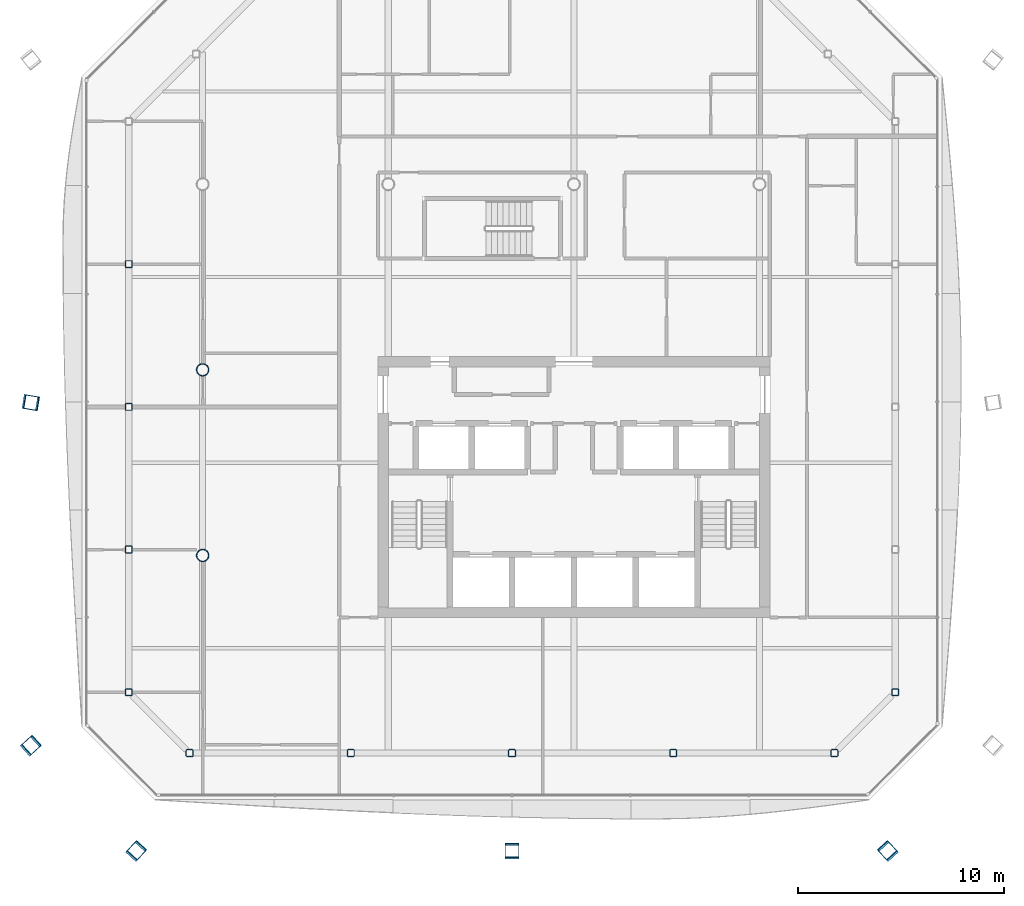
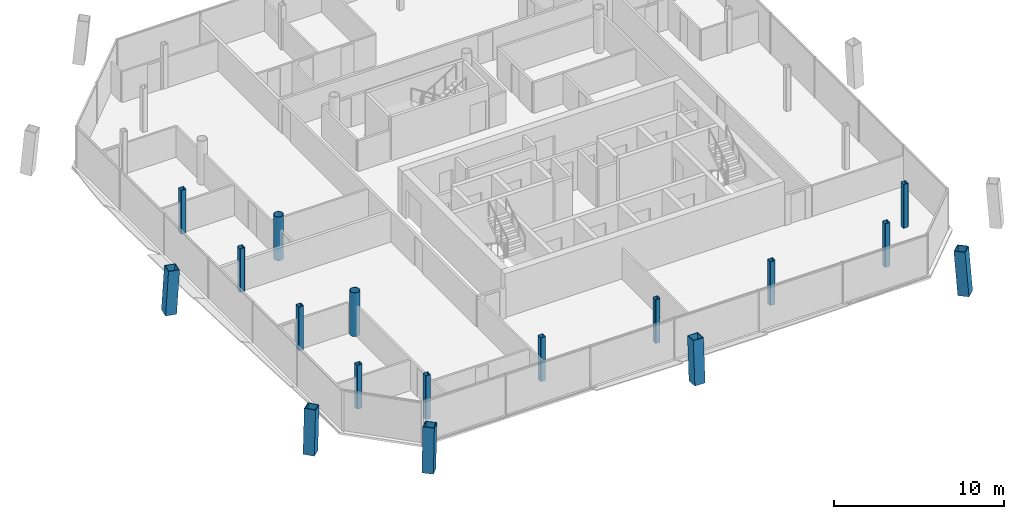
# One storey, part 1 of 20: 17 columns.
"""IFC4 building model written with IfcOpenShell, lengths in metres."""

from ifc_helpers import new_model, si_unit, direction, frame, origin, origin_2d, place, context, subcontext, project, spatial, hollow_rectangle, hollow_circle, extrude, material, material_profile, profile_set, type_object, element, save


model = new_model("IFC4")

# Units and contexts
model_context = context("Model", 3, precision=1e-05, world=origin(), true_north=direction((0.0, 1.0)))
body_context = subcontext(model_context, "Body", "Model", "MODEL_VIEW")
ifc_project = project(units=[si_unit("LENGTHUNIT", "METRE"), si_unit("AREAUNIT", "SQUARE_METRE"), si_unit("VOLUMEUNIT", "CUBIC_METRE"), si_unit("PLANEANGLEUNIT", "RADIAN"), si_unit("MASSUNIT", "GRAM", prefix="KILO")], contexts=[model_context])

# Site, building, storey
site_placement = place(None, origin())
site = spatial("IfcSite", under=ifc_project, at=site_placement, CompositionType="ELEMENT")
building_placement = place(site_placement, origin())
building = spatial("IfcBuilding", under=site, at=building_placement, Name="Tskaro Facet Tower", CompositionType="ELEMENT")
storey_placement = place(building_placement, frame((0.0, 0.0, 187.949951171875)))
storey = spatial("IfcBuildingStorey", under=building, at=storey_placement, Name="L47", CompositionType="ELEMENT", Elevation=187.949951171875)

# Columns
ifc_material_1 = material(Name="Steel S460M", Category="steel")
ifc_material_profile_1 = material_profile(ifc_material_1, hollow_rectangle(XDim=0.699951171875, YDim=0.699951171875, WallThickness=0.044921875, at=origin_2d()), Name="BOX 700x700x45")
ifc_profile_set_1 = profile_set([ifc_material_profile_1], Name="Steel S460M")
column_type_1 = type_object("IfcColumnType", Name="BOX 700x700x45 mega column", PredefinedType="COLUMN", material=ifc_profile_set_1)
column_1_placement = place(storey_placement, frame((-21.2509765625, -23.363037109375, 0.0), z_axis=(0.052540391847, 0.057639900467, 0.996953935294), x_axis=(-0.739042878551, 0.673658387955, 0.0)))
element("IfcColumn", 1, at=column_1_placement, inside=storey, type_object=column_type_1, Name="BOX 700x700x45 MC01/4", PredefinedType="COLUMN", context=body_context, shape_type="SweptSolid", body=[
    extrude(hollow_rectangle(XDim=0.699951171875, YDim=0.699951171875, WallThickness=0.044921875, at=origin_2d()), origin(), (0.0, 0.0, 1.0), 3.15966796875),
])
column_2_placement = place(storey_placement, frame((-3.0, -23.363037109375, 0.0), z_axis=(0.0, 0.057719622824, 0.998332832847), x_axis=(-1.0, 0.0, 0.0)))
element("IfcColumn", 2, at=column_2_placement, inside=storey, type_object=column_type_1, Name="BOX 700x700x45 MC02/4", PredefinedType="COLUMN", context=body_context, shape_type="SweptSolid", body=[
    extrude(hollow_rectangle(XDim=0.699951171875, YDim=0.699951171875, WallThickness=0.044921875, at=origin_2d()), origin(), (0.0, 0.0, 1.0), 3.155517578125),
])
column_3_placement = place(storey_placement, frame((15.2509765625, -23.363037109375, 0.0), z_axis=(-0.052540391847, 0.057639900467, 0.996953935294), x_axis=(-0.739042878551, -0.673658387955, 0.0)))
element("IfcColumn", 3, at=column_3_placement, inside=storey, type_object=column_type_1, Name="BOX 700x700x45 MC03/4", PredefinedType="COLUMN", context=body_context, shape_type="SweptSolid", body=[
    extrude(hollow_rectangle(XDim=0.699951171875, YDim=0.699951171875, WallThickness=0.044921875, at=origin_2d()), origin(), (0.0, 0.0, 1.0), 3.15966796875),
])
column_4_placement = place(storey_placement, frame((-26.363037109375, -1.583984375, 0.0), z_axis=(0.057717009198, -0.00951634334, 0.998287626919), x_axis=(0.162682900473, 0.986678404493, 0.0)))
element("IfcColumn", 4, at=column_4_placement, inside=storey, type_object=column_type_1, Name="BOX 700x700x45 MC11/4", PredefinedType="COLUMN", context=body_context, shape_type="SweptSolid", body=[
    extrude(hollow_rectangle(XDim=0.699951171875, YDim=0.699951171875, WallThickness=0.044921875, at=origin_2d()), origin(), (0.0, 0.0, 1.0), 3.155517578125),
])
column_5_placement = place(storey_placement, frame((-26.363037109375, -18.2509765625, 0.0), z_axis=(0.057639900467, 0.052540391847, 0.996953935294), x_axis=(-0.673658387955, 0.739042878551, 0.0)))
element("IfcColumn", 5, at=column_5_placement, inside=storey, type_object=column_type_1, Name="BOX 700x700x45 MC12/4", PredefinedType="COLUMN", context=body_context, shape_type="SweptSolid", body=[
    extrude(hollow_rectangle(XDim=0.699951171875, YDim=0.699951171875, WallThickness=0.044921875, at=origin_2d()), origin(), (0.0, 0.0, 1.0), 3.15966796875),
])
ifc_material_2 = material(Name="Steel S355J2H", Category="steel")
ifc_material_profile_2 = material_profile(ifc_material_2, hollow_circle(Radius=0.304931640625, WallThickness=0.030029296875, at=origin_2d()), Name="CHS 610x30")
ifc_profile_set_2 = profile_set([ifc_material_profile_2], Name="Steel S355J2H")
column_type_2 = type_object("IfcColumnType", Name="CHS 610x30 interior column", PredefinedType="COLUMN", material=ifc_profile_set_2)
for number, where, z_axis, x_axis, name in (
    (6, (-18.0, -9.0, 0.0), (0.0, 0.0, 1.0), (1.0, 0.0, 0.0), "CHS 610x30 C2C/4"),
    (7, (-18.0, 0.0, 0.0), (0.0, 0.0, 1.0), (1.0, 0.0, 0.0), "CHS 610x30 C2D/4"),
):
    element("IfcColumn", number, at=place(storey_placement, frame(where, z_axis=z_axis, x_axis=x_axis)), inside=storey, type_object=column_type_2, Name=name, PredefinedType="COLUMN", context=body_context, shape_type="SweptSolid", body=[
        extrude(hollow_circle(Radius=0.304931640625, WallThickness=0.030029296875, at=origin_2d()), origin(), (0.0, 0.0, 1.0), 3.150146484375),
    ])
ifc_material_profile_3 = material_profile(ifc_material_2, hollow_rectangle(XDim=0.35009765625, YDim=0.35009765625, WallThickness=0.02001953125, InnerFilletRadius=0.030029296875, OuterFilletRadius=0.050048828125, at=origin_2d()), Name="SHS 350x350x20")
ifc_profile_set_3 = profile_set([ifc_material_profile_3], Name="Steel S355J2H")
column_type_3 = type_object("IfcColumnType", Name="SHS 350x350x20 ring column", PredefinedType="COLUMN", material=ifc_profile_set_3)
for number, where, z_axis, x_axis, name in (
    (8, (-18.633056640625, -18.5830078125, 0.0), (0.0, 0.0, 1.0), (1.0, 0.0, 0.0), "SHS 350x350x20 RS-1/4"),
    (9, (-10.81591796875, -18.5830078125, 0.0), (0.0, 0.0, 1.0), (1.0, 0.0, 0.0), "SHS 350x350x20 RS-2/4"),
    (10, (-3.0, -18.5830078125, 0.0), (0.0, 0.0, 1.0), (1.0, 0.0, 0.0), "SHS 350x350x20 RS-3/4"),
    (11, (4.81689453125, -18.5830078125, 0.0), (0.0, 0.0, 1.0), (1.0, 0.0, 0.0), "SHS 350x350x20 RS-4/4"),
    (12, (12.633056640625, -18.5830078125, 0.0), (0.0, 0.0, 1.0), (1.0, 0.0, 0.0), "SHS 350x350x20 RSE-1/4"),
    (13, (15.5830078125, -15.633056640625, 0.0), (0.0, 0.0, 1.0), (1.0, 0.0, 0.0), "SHS 350x350x20 RE-1/4"),
    (14, (-21.5830078125, 5.1259765625, 0.0), (0.0, 0.0, 1.0), (1.0, 0.0, 0.0), "SHS 350x350x20 RW-2/4"),
    (15, (-21.5830078125, -1.79296875, 0.0), (0.0, 0.0, 1.0), (1.0, 0.0, 0.0), "SHS 350x350x20 RW-3/4"),
    (16, (-21.5830078125, -8.712890625, 0.0), (0.0, 0.0, 1.0), (1.0, 0.0, 0.0), "SHS 350x350x20 RW-4/4"),
    (17, (-21.5830078125, -15.633056640625, 0.0), (0.0, 0.0, 1.0), (1.0, 0.0, 0.0), "SHS 350x350x20 RSW-1/4"),
):
    element("IfcColumn", number, at=place(storey_placement, frame(where, z_axis=z_axis, x_axis=x_axis)), inside=storey, type_object=column_type_3, Name=name, PredefinedType="COLUMN", context=body_context, shape_type="SweptSolid", body=[
        extrude(hollow_rectangle(XDim=0.35009765625, YDim=0.35009765625, WallThickness=0.02001953125, InnerFilletRadius=0.030029296875, OuterFilletRadius=0.050048828125, at=origin_2d()), origin(), (0.0, 0.0, 1.0), 3.150146484375),
    ])

save(model, "model.ifc")
